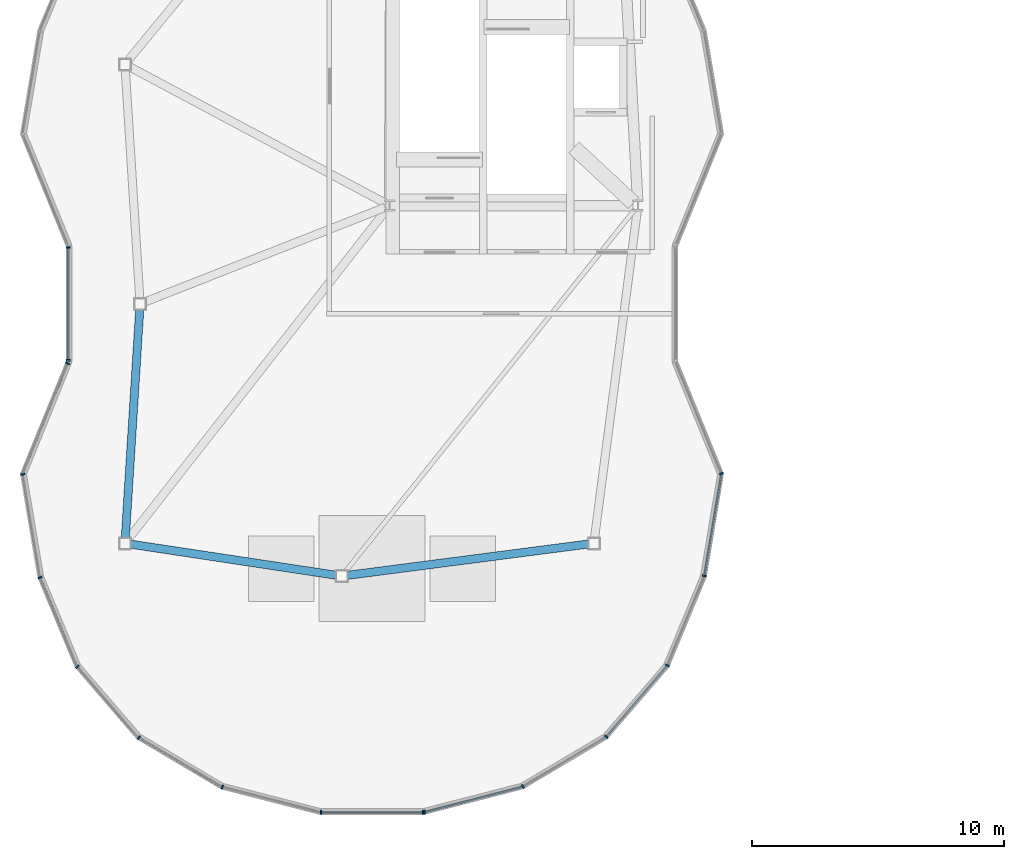
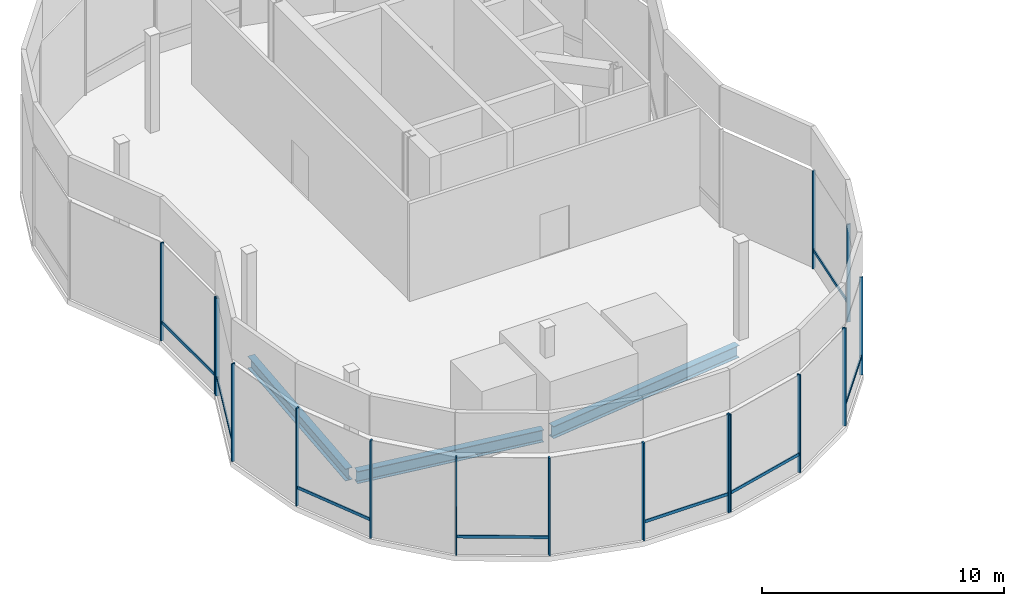
# One storey, part 3 of 14: 24 members, 3 beams, 3 elements without a shape of their own.
"""IFC4 building model written with IfcOpenShell, lengths in metres."""

from ifc_helpers import new_model, si_unit, direction, frame, origin, origin_2d, place, context, subcontext, project, spatial, rectangle, i_section, extrude, material, material_profile, profile_set, type_object, element, aggregate, save


model = new_model("IFC4")

# Units and contexts
model_context = context("Model", 3, precision=1e-05, world=origin(), true_north=direction((0.0, 1.0)))
body_context = subcontext(model_context, "Body", "Model", "MODEL_VIEW")
ifc_project = project(units=[si_unit("LENGTHUNIT", "METRE"), si_unit("AREAUNIT", "SQUARE_METRE"), si_unit("VOLUMEUNIT", "CUBIC_METRE"), si_unit("PLANEANGLEUNIT", "RADIAN"), si_unit("MASSUNIT", "GRAM", prefix="KILO"), si_unit("THERMODYNAMICTEMPERATUREUNIT", "KELVIN"), si_unit("POWERUNIT", "WATT")], contexts=[model_context])

# Site, building, storey
site_placement = place(None, origin())
site = spatial("IfcSite", under=ifc_project, at=site_placement, CompositionType="ELEMENT")
building_placement = place(site_placement, origin())
building = spatial("IfcBuilding", under=site, at=building_placement, Name="Cundina Bronze Exchange", CompositionType="ELEMENT")
storey_placement = place(building_placement, frame((0.0, 0.0, 286.39990234375)))
storey = spatial("IfcBuildingStorey", under=building, at=storey_placement, Name="L76", CompositionType="ELEMENT", Elevation=286.39990234375)

# Beams
ifc_material_1 = material(Name="Steel ASTM A992 Grade 50", Category="steel")
ifc_material_profile_1 = material_profile(ifc_material_1, i_section(OverallWidth=0.324951171875, OverallDepth=0.615966796875, WebThickness=0.013916015625, FlangeThickness=0.021484375, FilletRadius=0.01611328125, at=origin_2d()), Name="W24X117", Category="steel")
ifc_profile_set_1 = profile_set([ifc_material_profile_1], Name="Steel ASTM A992 Grade 50")
beam_type = type_object("IfcBeamType", Name="BM-RING-W24", PredefinedType="USERDEFINED", material=ifc_profile_set_1)
beam_1_placement = place(storey_placement, frame((-41.21337890625, -0.212646484375, -0.56787109375), z_axis=(-0.063043564756, -0.998010775965, 0.0), x_axis=(0.998010775965, -0.063043564756, 0.0)))
element("IfcBeam", 1, at=beam_1_placement, inside=storey, type_object=beam_type, Name="L76 W Inner Structural Ring Girder 04", ObjectType="GIRDER", PredefinedType="USERDEFINED", context=body_context, shape_type="SweptSolid", body=[
    extrude(i_section(OverallWidth=0.324951171875, OverallDepth=0.615966796875, WebThickness=0.013916015625, FlangeThickness=0.021484375, FilletRadius=0.01611328125, at=origin_2d()), origin(), (0.0, 0.0, 1.0), 9.0927734375),
])
beam_2_placement = place(storey_placement, frame((-41.58935546875, -9.53173828125, -0.56787109375), z_axis=(0.988762483919, -0.149494984509, 0.0), x_axis=(0.149494984509, 0.988762483919, 0.0)))
element("IfcBeam", 2, at=beam_2_placement, inside=storey, type_object=beam_type, Name="L76 W Inner Structural Ring Girder 05", ObjectType="GIRDER", PredefinedType="USERDEFINED", context=body_context, shape_type="SweptSolid", body=[
    extrude(i_section(OverallWidth=0.324951171875, OverallDepth=0.615966796875, WebThickness=0.013916015625, FlangeThickness=0.021484375, FilletRadius=0.01611328125, at=origin_2d()), origin(), (0.0, 0.0, 1.0), 8.271728515625),
])
beam_3_placement = place(storey_placement, frame((-32.98876953125, -10.7724609375, -0.56787109375), z_axis=(0.991658525473, 0.128892858052, 0.0), x_axis=(-0.128892858052, 0.991658525473, 0.0)))
element("IfcBeam", 3, at=beam_3_placement, inside=storey, type_object=beam_type, Name="L76 W Inner Structural Ring Girder 06", ObjectType="GIRDER", PredefinedType="USERDEFINED", context=body_context, shape_type="SweptSolid", body=[
    extrude(i_section(OverallWidth=0.324951171875, OverallDepth=0.615966796875, WebThickness=0.013916015625, FlangeThickness=0.021484375, FilletRadius=0.01611328125, at=origin_2d()), origin(), (0.0, 0.0, 1.0), 9.658203125),
])

# Curtain wall, members
ifc_material_2 = material(Name="Anodised Bronze Aluminium 6063-T6", Category="aluminium")
curtain_wall_type = type_object("IfcCurtainWallType", Name="CWS-CRN-TMD", PredefinedType="NOTDEFINED", material=ifc_material_2)
curtain_wall_1_placement = place(storey_placement, origin())
curtain_wall_1 = element("IfcCurtainWall", 4, at=curtain_wall_1_placement, inside=storey, type_object=curtain_wall_type, Name="L76 CW-07 Curtain Wall Run CWR-L76-W2", PredefinedType="NOTDEFINED")
ifc_material_profile_2 = material_profile(ifc_material_2, rectangle(XDim=0.06494140625, YDim=0.159912109375, at=origin_2d()), Name="AL65X160", Category="aluminium")
ifc_profile_set_2 = profile_set([ifc_material_profile_2], Name="Anodised Bronze Aluminium 6063-T6")
member_type_1 = type_object("IfcMemberType", Name="CWM-MUL-160", PredefinedType="MULLION", material=ifc_profile_set_2)
member_1_placement = place(storey_placement, frame((-44.048095703125, 2.238525390625, 0.0), z_axis=(0.0, 0.0, 1.0), x_axis=(0.0, -1.0, 0.0)))
member_1 = element("IfcMember", 5, at=member_1_placement, type_object=member_type_1, Name="CW-07 Mullion 7", PredefinedType="MULLION", context=body_context, shape_type="SweptSolid", body=[
    extrude(rectangle(XDim=0.06494140625, YDim=0.159912109375, at=origin_2d()), origin(), (0.0, 0.0, 1.0), 4.93017578125),
])
member_2_placement = place(storey_placement, frame((-44.048095703125, -2.238525390625, 0.0), z_axis=(0.0, 0.0, 1.0), x_axis=(0.0, -1.0, 0.0)))
member_2 = element("IfcMember", 6, at=member_2_placement, type_object=member_type_1, Name="CW-07 End Mullion", PredefinedType="MULLION", context=body_context, shape_type="SweptSolid", body=[
    extrude(rectangle(XDim=0.06494140625, YDim=0.159912109375, at=origin_2d()), origin(), (0.0, 0.0, 1.0), 4.93017578125),
])

curtain_wall_2_placement = place(storey_placement, origin())
curtain_wall_2 = element("IfcCurtainWall", 7, at=curtain_wall_2_placement, inside=storey, type_object=curtain_wall_type, Name="L76 CW-07 Curtain Wall Run CWR-L76-W3", PredefinedType="NOTDEFINED")
member_3_placement = place(storey_placement, frame((-44.072509765625, -2.364013671875, 0.0), z_axis=(0.0, 0.0, 1.0), x_axis=(-0.377517574003, -0.926002419716, 0.0)))
member_3 = element("IfcMember", 8, at=member_3_placement, type_object=member_type_1, Name="CW-07 Mullion 1", PredefinedType="MULLION", context=body_context, shape_type="SweptSolid", body=[
    extrude(rectangle(XDim=0.06494140625, YDim=0.159912109375, at=origin_2d()), origin(), (0.0, 0.0, 1.0), 4.93017578125),
])
member_4_placement = place(storey_placement, frame((-45.85791015625, -6.766357421875, 0.0), z_axis=(0.0, 0.0, 1.0), x_axis=(0.165047605861, -0.986285601537, 0.0)))
member_4 = element("IfcMember", 9, at=member_4_placement, type_object=member_type_1, Name="CW-07 Mullion 2", PredefinedType="MULLION", context=body_context, shape_type="SweptSolid", body=[
    extrude(rectangle(XDim=0.06494140625, YDim=0.159912109375, at=origin_2d()), origin(), (0.0, 0.0, 1.0), 4.93017578125),
])
member_5_placement = place(storey_placement, frame((-45.165283203125, -10.856689453125, 0.0), z_axis=(0.0, 0.0, 1.0), x_axis=(0.383650706743, -0.923478280858, 0.0)))
member_5 = element("IfcMember", 10, at=member_5_placement, type_object=member_type_1, Name="CW-07 Mullion 3", PredefinedType="MULLION", context=body_context, shape_type="SweptSolid", body=[
    extrude(rectangle(XDim=0.06494140625, YDim=0.159912109375, at=origin_2d()), origin(), (0.0, 0.0, 1.0), 4.93017578125),
])
member_6_placement = place(storey_placement, frame((-43.685546875, -14.394287109375, 0.0), z_axis=(0.0, 0.0, 1.0), x_axis=(0.652495272634, -0.757792794364, 0.0)))
member_6 = element("IfcMember", 11, at=member_6_placement, type_object=member_type_1, Name="CW-07 Mullion 4", PredefinedType="MULLION", context=body_context, shape_type="SweptSolid", body=[
    extrude(rectangle(XDim=0.06494140625, YDim=0.159912109375, at=origin_2d()), origin(), (0.0, 0.0, 1.0), 4.93017578125),
])
member_7_placement = place(storey_placement, frame((-41.248779296875, -17.210205078125, 0.0), z_axis=(0.0, 0.0, 1.0), x_axis=(0.859763151952, -0.510692982667, 0.0)))
member_7 = element("IfcMember", 12, at=member_7_placement, type_object=member_type_1, Name="CW-07 Mullion 5", PredefinedType="MULLION", context=body_context, shape_type="SweptSolid", body=[
    extrude(rectangle(XDim=0.06494140625, YDim=0.159912109375, at=origin_2d()), origin(), (0.0, 0.0, 1.0), 4.93017578125),
])
member_8_placement = place(storey_placement, frame((-37.932861328125, -19.169677734375, 0.0), z_axis=(0.0, 0.0, 1.0), x_axis=(0.968147640378, -0.250380004054, 0.0)))
member_8 = element("IfcMember", 13, at=member_8_placement, type_object=member_type_1, Name="CW-07 Mullion 6", PredefinedType="MULLION", context=body_context, shape_type="SweptSolid", body=[
    extrude(rectangle(XDim=0.06494140625, YDim=0.159912109375, at=origin_2d()), origin(), (0.0, 0.0, 1.0), 4.93017578125),
])
member_9_placement = place(storey_placement, frame((-34.0234375, -20.172119140625, 0.0), z_axis=(0.0, 0.0, 1.0), x_axis=(1.0, 0.0, 0.0)))
member_9 = element("IfcMember", 14, at=member_9_placement, type_object=member_type_1, Name="CW-07 Mullion 7", PredefinedType="MULLION", context=body_context, shape_type="SweptSolid", body=[
    extrude(rectangle(XDim=0.06494140625, YDim=0.159912109375, at=origin_2d()), origin(), (0.0, 0.0, 1.0), 4.93017578125),
])
member_10_placement = place(storey_placement, frame((-29.9765625, -20.172119140625, 0.0), z_axis=(0.0, 0.0, 1.0), x_axis=(1.0, 0.0, 0.0)))
member_10 = element("IfcMember", 15, at=member_10_placement, type_object=member_type_1, Name="CW-07 End Mullion", PredefinedType="MULLION", context=body_context, shape_type="SweptSolid", body=[
    extrude(rectangle(XDim=0.06494140625, YDim=0.159912109375, at=origin_2d()), origin(), (0.0, 0.0, 1.0), 4.93017578125),
])

curtain_wall_3_placement = place(storey_placement, origin())
curtain_wall_3 = element("IfcCurtainWall", 16, at=curtain_wall_3_placement, inside=storey, type_object=curtain_wall_type, Name="L76 CW-07 Curtain Wall Run CWR-L76-W4", PredefinedType="NOTDEFINED")
member_11_placement = place(storey_placement, frame((-29.912109375, -20.163818359375, 0.0), z_axis=(0.0, 0.0, 1.0), x_axis=(0.968147640378, 0.250380004054, 0.0)))
member_11 = element("IfcMember", 17, at=member_11_placement, type_object=member_type_1, Name="CW-07 Mullion 1", PredefinedType="MULLION", context=body_context, shape_type="SweptSolid", body=[
    extrude(rectangle(XDim=0.06494140625, YDim=0.159912109375, at=origin_2d()), origin(), (0.0, 0.0, 1.0), 4.93017578125),
])
member_12_placement = place(storey_placement, frame((-26.010009765625, -19.145751953125, 0.0), z_axis=(0.0, 0.0, 1.0), x_axis=(0.859763151952, 0.510692982667, 0.0)))
member_12 = element("IfcMember", 18, at=member_12_placement, type_object=member_type_1, Name="CW-07 Mullion 2", PredefinedType="MULLION", context=body_context, shape_type="SweptSolid", body=[
    extrude(rectangle(XDim=0.06494140625, YDim=0.159912109375, at=origin_2d()), origin(), (0.0, 0.0, 1.0), 4.93017578125),
])
member_13_placement = place(storey_placement, frame((-22.70703125, -17.17333984375, 0.0), z_axis=(0.0, 0.0, 1.0), x_axis=(0.652495272634, 0.757792794364, 0.0)))
member_13 = element("IfcMember", 19, at=member_13_placement, type_object=member_type_1, Name="CW-07 Mullion 3", PredefinedType="MULLION", context=body_context, shape_type="SweptSolid", body=[
    extrude(rectangle(XDim=0.06494140625, YDim=0.159912109375, at=origin_2d()), origin(), (0.0, 0.0, 1.0), 4.93017578125),
])
member_14_placement = place(storey_placement, frame((-20.283935546875, -14.344482421875, 0.0), z_axis=(0.0, 0.0, 1.0), x_axis=(0.383650706743, 0.923478280858, 0.0)))
member_14 = element("IfcMember", 20, at=member_14_placement, type_object=member_type_1, Name="CW-07 Mullion 4", PredefinedType="MULLION", context=body_context, shape_type="SweptSolid", body=[
    extrude(rectangle(XDim=0.06494140625, YDim=0.159912109375, at=origin_2d()), origin(), (0.0, 0.0, 1.0), 4.93017578125),
])
member_15_placement = place(storey_placement, frame((-18.816162109375, -10.79150390625, 0.0), z_axis=(0.0, 0.0, 1.0), x_axis=(0.165047605861, 0.986285601537, 0.0)))
member_15 = element("IfcMember", 21, at=member_15_placement, type_object=member_type_1, Name="CW-07 Mullion 5", PredefinedType="MULLION", context=body_context, shape_type="SweptSolid", body=[
    extrude(rectangle(XDim=0.06494140625, YDim=0.159912109375, at=origin_2d()), origin(), (0.0, 0.0, 1.0), 4.93017578125),
])
member_16_placement = place(storey_placement, frame((-18.145751953125, -6.733642578125, 0.0), z_axis=(0.0, 0.0, 1.0), x_axis=(-0.377517574003, 0.926002419716, 0.0)))
member_16 = element("IfcMember", 22, at=member_16_placement, type_object=member_type_1, Name="CW-07 Mullion 6", PredefinedType="MULLION", context=body_context, shape_type="SweptSolid", body=[
    extrude(rectangle(XDim=0.06494140625, YDim=0.159912109375, at=origin_2d()), origin(), (0.0, 0.0, 1.0), 4.93017578125),
])

# Member
ifc_material_profile_3 = material_profile(ifc_material_2, rectangle(XDim=0.06494140625, YDim=0.14990234375, at=origin_2d()), Name="AL65X150", Category="aluminium")
ifc_profile_set_3 = profile_set([ifc_material_profile_3], Name="Anodised Bronze Aluminium 6063-T6")
member_type_2 = type_object("IfcMemberType", Name="CWM-TRN-150", PredefinedType="USERDEFINED", material=ifc_profile_set_3)
member_17_placement = place(storey_placement, frame((-44.048095703125, 2.20263671875, 0.920166015625), z_axis=(0.0, -1.0, 0.0), x_axis=(1.0, 0.0, 0.0)))
member_17 = element("IfcMember", 23, at=member_17_placement, type_object=member_type_2, Name="CW-07 Spandrel Transom 7", ObjectType="TRANSOM", PredefinedType="USERDEFINED", context=body_context, shape_type="SweptSolid", body=[
    extrude(rectangle(XDim=0.06494140625, YDim=0.14990234375, at=origin_2d()), origin(), (0.0, 0.0, 1.0), 4.4052734375),
])

aggregate(curtain_wall_1, [member_1, member_2, member_17])

member_18_placement = place(storey_placement, frame((-44.086181640625, -2.39697265625, 0.920166015625), z_axis=(-0.377528598673, -0.925997925043, 0.0), x_axis=(0.925997925043, -0.377528598673, 0.0)))
member_18 = element("IfcMember", 24, at=member_18_placement, type_object=member_type_2, Name="CW-07 Spandrel Transom 1", ObjectType="TRANSOM", PredefinedType="USERDEFINED", context=body_context, shape_type="SweptSolid", body=[
    extrude(rectangle(XDim=0.06494140625, YDim=0.14990234375, at=origin_2d()), origin(), (0.0, 0.0, 1.0), 4.71875),
])

member_19_placement = place(storey_placement, frame((-45.151611328125, -10.8896484375, 0.920166015625), z_axis=(0.383683502182, -0.923464655606, 0.0), x_axis=(0.923464655606, 0.383683502182, 0.0)))
member_19 = element("IfcMember", 25, at=member_19_placement, type_object=member_type_2, Name="CW-07 Spandrel Transom 3", ObjectType="TRANSOM", PredefinedType="USERDEFINED", context=body_context, shape_type="SweptSolid", body=[
    extrude(rectangle(XDim=0.06494140625, YDim=0.14990234375, at=origin_2d()), origin(), (0.0, 0.0, 1.0), 3.777099609375),
])

member_20_placement = place(storey_placement, frame((-41.218017578125, -17.228515625, 0.920166015625), z_axis=(0.859780509017, -0.510663760525, 0.0), x_axis=(0.510663760525, 0.859780509017, 0.0)))
member_20 = element("IfcMember", 26, at=member_20_placement, type_object=member_type_2, Name="CW-07 Spandrel Transom 5", ObjectType="TRANSOM", PredefinedType="USERDEFINED", context=body_context, shape_type="SweptSolid", body=[
    extrude(rectangle(XDim=0.06494140625, YDim=0.14990234375, at=origin_2d()), origin(), (0.0, 0.0, 1.0), 3.790283203125),
])

member_21_placement = place(storey_placement, frame((-33.98779296875, -20.172119140625, 0.920166015625), z_axis=(1.0, 0.0, 0.0), x_axis=(0.0, 1.0, 0.0)))
member_21 = element("IfcMember", 27, at=member_21_placement, type_object=member_type_2, Name="CW-07 Spandrel Transom 7", ObjectType="TRANSOM", PredefinedType="USERDEFINED", context=body_context, shape_type="SweptSolid", body=[
    extrude(rectangle(XDim=0.06494140625, YDim=0.14990234375, at=origin_2d()), origin(), (0.0, 0.0, 1.0), 3.9755859375),
])

aggregate(curtain_wall_2, [member_3, member_18, member_4, member_5, member_19, member_6, member_7, member_20, member_8, member_9, member_10, member_21])

member_22_placement = place(storey_placement, frame((-29.87744140625, -20.15478515625, 0.920166015625), z_axis=(0.96816206864, 0.250324207474, 0.0), x_axis=(-0.250324207474, 0.96816206864, 0.0)))
member_22 = element("IfcMember", 28, at=member_22_placement, type_object=member_type_2, Name="CW-07 Spandrel Transom 1", ObjectType="TRANSOM", PredefinedType="USERDEFINED", context=body_context, shape_type="SweptSolid", body=[
    extrude(rectangle(XDim=0.06494140625, YDim=0.14990234375, at=origin_2d()), origin(), (0.0, 0.0, 1.0), 3.971435546875),
])

member_23_placement = place(storey_placement, frame((-22.683837890625, -17.146240234375, 0.920166015625), z_axis=(0.652483845386, 0.757802633612, 0.0), x_axis=(-0.757802633612, 0.652483845386, 0.0)))
member_23 = element("IfcMember", 29, at=member_23_placement, type_object=member_type_2, Name="CW-07 Spandrel Transom 3", ObjectType="TRANSOM", PredefinedType="USERDEFINED", context=body_context, shape_type="SweptSolid", body=[
    extrude(rectangle(XDim=0.06494140625, YDim=0.14990234375, at=origin_2d()), origin(), (0.0, 0.0, 1.0), 3.667236328125),
])

member_24_placement = place(storey_placement, frame((-18.810302734375, -10.75634765625, 0.920166015625), z_axis=(0.165165290928, 0.986265900593, 0.0), x_axis=(-0.986265900593, 0.165165290928, 0.0)))
member_24 = element("IfcMember", 30, at=member_24_placement, type_object=member_type_2, Name="CW-07 Spandrel Transom 5", ObjectType="TRANSOM", PredefinedType="USERDEFINED", context=body_context, shape_type="SweptSolid", body=[
    extrude(rectangle(XDim=0.06494140625, YDim=0.14990234375, at=origin_2d()), origin(), (0.0, 0.0, 1.0), 4.081298828125),
])

aggregate(curtain_wall_3, [member_11, member_22, member_12, member_13, member_23, member_14, member_15, member_24, member_16])

save(model, "model.ifc")
